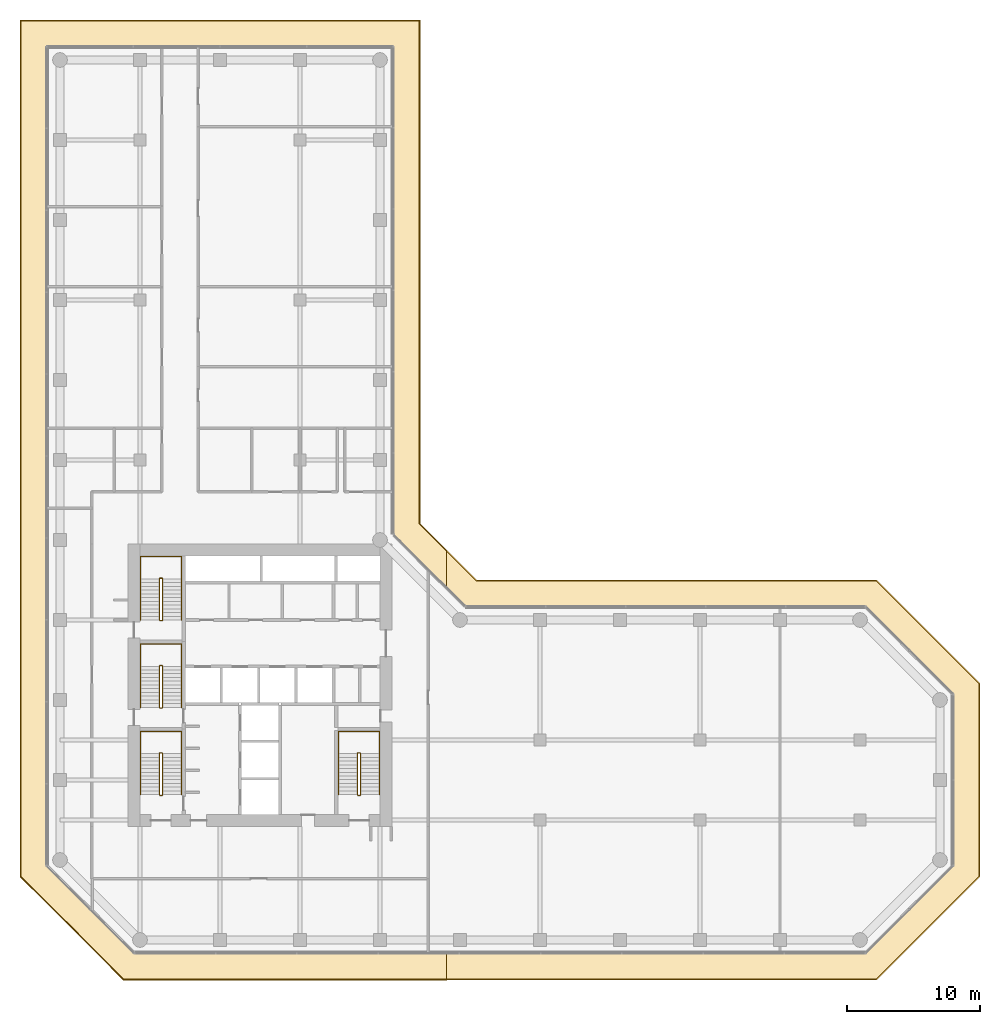
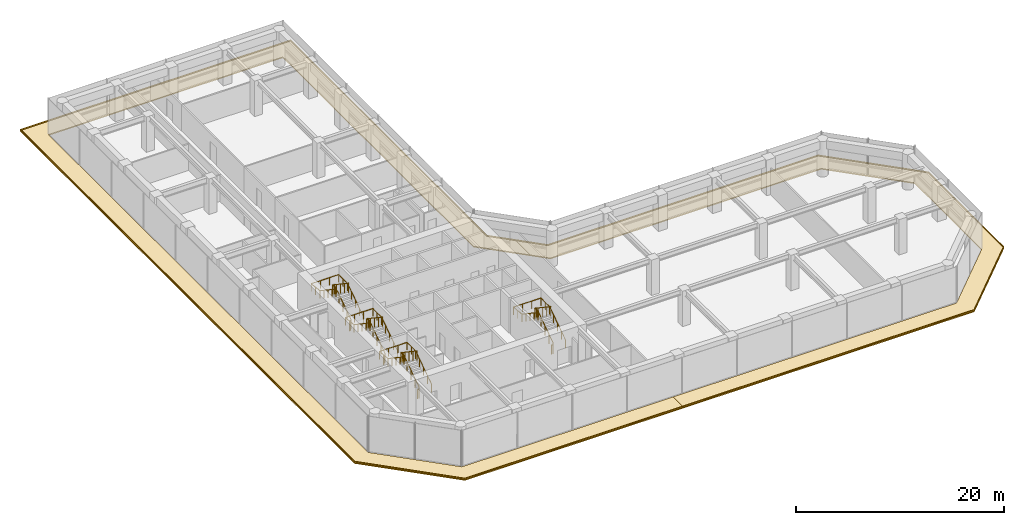
# One storey, part 24 of 24: 8 railings, 4 coverings.
"""IFC4 building model written with IfcOpenShell, lengths in metres."""

import ifcopenshell
import ifcopenshell.guid

model = None  # the IFC model being written
_history = None  # IfcOwnerHistory: only IFC2X3 demands one
_inside = {}  # id of a spatial element -> (the spatial element, [elements in it])
_under = {}  # id of a project, library or spatial element -> (it, [spatial elements below it])
_declared = {}  # id of a project -> (the project, [libraries it declares])
_typed = {}  # id of a type object -> (the type object, [elements of that type])
_made_of = {}  # id of a material, layer set ... -> (it, [elements and type objects made of it])


def new_model(schema):
    """Start an empty IFC model of exactly this schema.

    Asked for "IFC4X3", IfcOpenShell would pick the latest addendum, in which some entities
    have other attributes; the version numbers below select the first issue.
    IFC2X3 requires an IfcOwnerHistory on every rooted entity: one is made here for all.
    """
    global model, _history
    if schema == "IFC4X3":
        model = ifcopenshell.file(schema_version=(4, 3, 0, 0))
    else:
        model = ifcopenshell.file(schema=schema)
    _inside.clear()
    _under.clear()
    _declared.clear()
    _typed.clear()
    _made_of.clear()
    _history = None
    if model.schema == "IFC2X3":
        org = make("IfcOrganization", Name="unknown")
        user = make(
            "IfcPersonAndOrganization",
            ThePerson=make("IfcPerson", FamilyName="unknown"),
            TheOrganization=org,
        )
        app = make(
            "IfcApplication",
            ApplicationDeveloper=org,
            Version="unknown",
            ApplicationFullName="unknown",
            ApplicationIdentifier="unknown",
        )
        _history = make(
            "IfcOwnerHistory",
            OwningUser=user,
            OwningApplication=app,
            ChangeAction="ADDED",
            CreationDate=0,
        )
    return model


def make(cls, **values):
    """One entity of the class cls with the attributes given. An attribute that is None is left unset."""
    return model.create_entity(
        cls, **{name: value for name, value in values.items() if value is not None}
    )


def rooted(cls, **values):
    """An entity with a GlobalId (a new one), such as an element, a storey or a relation."""
    return make(cls, GlobalId=ifcopenshell.guid.new(), OwnerHistory=_history, **values)


def si_unit(unit_type, name, prefix=None):
    """IfcSIUnit, for example si_unit("LENGTHUNIT", "METRE", prefix="MILLI")."""
    return make("IfcSIUnit", UnitType=unit_type, Prefix=prefix, Name=name)


def assignment(units):
    """IfcUnitAssignment: the units of a project."""
    return None if units is None else make("IfcUnitAssignment", Units=units)


def point(xyz):
    """IfcCartesianPoint."""
    return None if xyz is None else make("IfcCartesianPoint", Coordinates=xyz)


def direction(xyz):
    """IfcDirection."""
    return None if xyz is None else make("IfcDirection", DirectionRatios=xyz)


def frame(location, z_axis=None, x_axis=None):
    """IfcAxis2Placement3D, a coordinate frame: its origin and axes. An axis left out is left unset."""
    return make(
        "IfcAxis2Placement3D",
        Location=point(location),
        Axis=direction(z_axis),
        RefDirection=direction(x_axis),
    )


def frame_2d(location, x_axis=None):
    """IfcAxis2Placement2D, a coordinate frame in the plane: its origin and x axis."""
    return make(
        "IfcAxis2Placement2D", Location=point(location), RefDirection=direction(x_axis)
    )


def origin():
    """The frame at (0, 0, 0) with its axes left unset."""
    return frame((0.0, 0.0, 0.0))


def origin_2d():
    """The frame at (0, 0) in the plane with its x axis left unset."""
    return frame_2d((0.0, 0.0))


def place(relative_to, where):
    """IfcLocalPlacement: puts the frame where relative to a parent placement (None: the world)."""
    return make(
        "IfcLocalPlacement", PlacementRelTo=relative_to, RelativePlacement=where
    )


def context(
    kind, dimensions, precision=None, world=None, true_north=None, identifier=None
):
    """IfcGeometricRepresentationContext, for example the 3D "Model" context."""
    return make(
        "IfcGeometricRepresentationContext",
        ContextIdentifier=identifier,
        ContextType=kind,
        CoordinateSpaceDimension=dimensions,
        Precision=precision,
        WorldCoordinateSystem=world,
        TrueNorth=true_north,
    )


def subcontext(parent, identifier, kind, view, scale=None):
    """IfcGeometricRepresentationSubContext, for example "Body" below "Model"."""
    return make(
        "IfcGeometricRepresentationSubContext",
        ContextIdentifier=identifier,
        ContextType=kind,
        ParentContext=parent,
        TargetScale=scale,
        TargetView=view,
    )


def project(units=None, contexts=None):
    """IfcProject with its units and contexts."""
    return rooted(
        "IfcProject",
        Name="project",
        RepresentationContexts=contexts,
        UnitsInContext=assignment(units),
    )


def spatial(cls, under=None, at=None, **own):
    """A site, building, storey or space (cls), placed at a placement, below another one or the project."""
    s = rooted(cls, ObjectPlacement=at, **own)
    if under is not None:
        _under.setdefault(under.id(), (under, []))[1].append(s)
    return s


def polyline(points):
    """IfcPolyline through the points."""
    return make("IfcPolyline", Points=[point(p) for p in points])


def profile(cls, at=None, kind="AREA", **sizes):
    """A parametric profile (cls). Its sizes go by their IFC names, for example OverallWidth=200.0."""
    return make(cls, ProfileType=kind, Position=at, **sizes)


def circle(**sizes):
    """IfcCircleProfileDef."""
    return profile("IfcCircleProfileDef", **sizes)


def outline(outer, holes=None, kind="AREA"):
    """IfcArbitraryClosedProfileDef: a profile drawn as a closed curve; with holes, ...WithVoids."""
    if holes is None:
        return make("IfcArbitraryClosedProfileDef", ProfileType=kind, OuterCurve=outer)
    return make(
        "IfcArbitraryProfileDefWithVoids",
        ProfileType=kind,
        OuterCurve=outer,
        InnerCurves=holes,
    )


def extrude(swept, where, along, depth):
    """IfcExtrudedAreaSolid: the profile swept, set in the frame where, extruded along a direction by depth."""
    return make(
        "IfcExtrudedAreaSolid",
        SweptArea=swept,
        Position=where,
        ExtrudedDirection=direction(along),
        Depth=depth,
    )


def shape(context_of_items, identifier, shape_type, items):
    """IfcShapeRepresentation: the items that make up one representation, for example the "Body"."""
    return make(
        "IfcShapeRepresentation",
        ContextOfItems=context_of_items,
        RepresentationIdentifier=identifier,
        RepresentationType=shape_type,
        Items=items,
    )


def material(Name=None, Category=None):
    """IfcMaterial."""
    return make("IfcMaterial", Name=Name, Category=Category)


def layer(
    of_material, thickness, ventilated=None, Name=None, Category=None, Priority=None
):
    """IfcMaterialLayer: one layer of a wall or slab, of a material (None: an air gap)."""
    return make(
        "IfcMaterialLayer",
        Material=of_material,
        LayerThickness=thickness,
        IsVentilated=ventilated,
        Name=Name,
        Category=Category,
        Priority=Priority,
    )


def layer_set(layers, Name=None):
    """IfcMaterialLayerSet."""
    return make("IfcMaterialLayerSet", MaterialLayers=layers, LayerSetName=Name)


def made_of(thing, what):
    """Note that an element or type object is made of a material, layer set ...; save() writes the relation."""
    if what is not None:
        _made_of.setdefault(what.id(), (what, []))[1].append(thing)
    return thing


def type_object(cls, material=None, **own):
    """A type object (cls), such as IfcWallType, which elements share."""
    return made_of(rooted(cls, **own), material)


def element(
    cls,
    number,
    at=None,
    inside=None,
    cuts=None,
    type_object=None,
    material=None,
    context=None,
    identifier="Body",
    shape_type=None,
    held_by="IfcProductDefinitionShape",
    body=None,
    shapes=None,
    **own,
):
    """One element of the class cls, such as IfcWall. Its Tag is "e" and its number.

    at: its placement. inside: the storey or other place that contains it. cuts: it is an
    opening in that element (IfcRelVoidsElement). A single representation is given by context,
    identifier, shape_type and body (its items); several are given by shapes. held_by: the class
    of the entity that holds the representations. save() writes the other relations.
    """
    e = rooted(cls, Tag="e%d" % number, ObjectPlacement=at, **own)
    if body is not None:
        shapes = [shape(context, identifier, shape_type, body)]
    if shapes is not None:
        e.Representation = make(held_by, Representations=shapes)
    if inside is not None:
        _inside.setdefault(inside.id(), (inside, []))[1].append(e)
    if cuts is not None:
        rooted(
            "IfcRelVoidsElement", RelatingBuildingElement=cuts, RelatedOpeningElement=e
        )
    if type_object is not None:
        _typed.setdefault(type_object.id(), (type_object, []))[1].append(e)
    return made_of(e, material)


def aggregate(whole, parts):
    """IfcRelAggregates: a whole, such as a stair, and the parts it consists of."""
    return rooted("IfcRelAggregates", RelatingObject=whole, RelatedObjects=parts)


def save(model, path):
    """Write the relations noted so far, then the file.

    IfcRelAggregates (storeys below a building ...), IfcRelContainedInSpatialStructure (elements
    in a storey), IfcRelDefinesByType, IfcRelAssociatesMaterial and IfcRelDeclares: one each for
    every whole, place, type object, material and project.
    """
    for whole, parts in _under.values():
        aggregate(whole, parts)
    for where, things in _inside.values():
        rooted(
            "IfcRelContainedInSpatialStructure",
            RelatedElements=things,
            RelatingStructure=where,
        )
    for kind, things in _typed.values():
        rooted("IfcRelDefinesByType", RelatedObjects=things, RelatingType=kind)
    for what, things in _made_of.values():
        rooted("IfcRelAssociatesMaterial", RelatedObjects=things, RelatingMaterial=what)
    for by, libraries in _declared.values():
        rooted("IfcRelDeclares", RelatingContext=by, RelatedDefinitions=libraries)
    model.write(path)


model = new_model("IFC4")

# Units and contexts
model_context = context("Model", 3, precision=1e-05, world=origin(), true_north=direction((0.0, 1.0)))
body_context = subcontext(model_context, "Body", "Model", "MODEL_VIEW")
ifc_project = project(units=[si_unit("LENGTHUNIT", "METRE"), si_unit("AREAUNIT", "SQUARE_METRE"), si_unit("VOLUMEUNIT", "CUBIC_METRE"), si_unit("PLANEANGLEUNIT", "RADIAN"), si_unit("MASSUNIT", "GRAM", prefix="KILO")], contexts=[model_context])

# Site, building, storey
site_placement = place(None, origin())
site = spatial("IfcSite", under=ifc_project, at=site_placement, CompositionType="ELEMENT")
building_placement = place(site_placement, origin())
building = spatial("IfcBuilding", under=site, at=building_placement, Name="Welwitschia Terrace Campus", CompositionType="ELEMENT")
storey_placement = place(building_placement, frame((0.0, 0.0, 20.0)))
storey = spatial("IfcBuildingStorey", under=building, at=storey_placement, Name="L04", CompositionType="ELEMENT", Elevation=20.0)

# Railings
ifc_material_1 = material(Name="Steel S355", Category="steel")
railing_type_1 = type_object("IfcRailingType", Name="Stair guard 1100", PredefinedType="GUARDRAIL", material=ifc_material_1)
railing_1_placement = place(storey_placement, frame((7.5, 6.85009765625, 0.0)))
element("IfcRailing", 1, at=railing_1_placement, inside=storey, type_object=railing_type_1, Name="L04 S1 stair guard", PredefinedType="GUARDRAIL", context=body_context, shape_type="SweptSolid", body=[
    extrude(circle(Radius=0.02392578125, at=origin_2d()), frame((0.0, 0.0, 1.076171875), z_axis=(1.0, 0.0, 0.0), x_axis=(0.0, 1.0, 0.0)), (0.0, 0.0, 1.0), 0.14990234375),
    extrude(circle(Radius=0.02392578125, at=origin_2d()), frame((0.14990234375, 0.0, 1.076171875), z_axis=(0.249802250048, 0.248583702486, 0.935844527007), x_axis=(-0.705375805398, 0.708833529934, 0.0)), (0.0, 0.0, 1.0), 0.200439453125),
    extrude(circle(Radius=0.02392578125, at=origin_2d()), frame((0.199951171875, 0.0498046875, 1.263671875), z_axis=(0.0, 0.830913701846, 0.55640131208), x_axis=(-1.0, 0.0, 0.0)), (0.0, 0.0, 1.0), 3.706787109375),
    extrude(circle(Radius=0.02392578125, at=origin_2d()), frame((0.199951171875, 3.1298828125, 3.326171875), z_axis=(-0.707106781187, 0.707106781187, 0.0), x_axis=(-0.707106781187, -0.707106781187, 0.0)), (0.0, 0.0, 1.0), 0.07080078125),
    extrude(circle(Radius=0.02392578125, at=origin_2d()), frame((0.14990234375, 3.179931640625, 3.326171875), z_axis=(-1.0, 0.0, 0.0), x_axis=(0.0, -1.0, 0.0)), (0.0, 0.0, 1.0), 0.14990234375),
    extrude(circle(Radius=0.02392578125, at=origin_2d()), frame((0.0, 3.179931640625, 3.326171875), z_axis=(-0.249726431254, -0.249726431254, 0.935560483917), x_axis=(0.707106781187, -0.707106781187, 0.0)), (0.0, 0.0, 1.0), 0.200439453125),
    extrude(circle(Radius=0.02392578125, at=origin_2d()), frame((-0.050048828125, 3.1298828125, 3.513671875), z_axis=(0.0, -0.830913701846, 0.55640131208), x_axis=(1.0, 0.0, 0.0)), (0.0, 0.0, 1.0), 3.706787109375),
    extrude(circle(Radius=0.02099609375, at=origin_2d()), origin(), (0.0, 0.0, 1.0), 1.052001953125),
    extrude(circle(Radius=0.02099609375, at=origin_2d()), frame((0.14990234375, 0.0, 0.0)), (0.0, 0.0, 1.0), 1.052001953125),
    extrude(circle(Radius=0.02099609375, at=origin_2d()), frame((0.199951171875, 0.0498046875, 0.1875)), (0.0, 0.0, 1.0), 1.052001953125),
    extrude(circle(Radius=0.02099609375, at=origin_2d()), frame((0.199951171875, 0.81982421875, 0.703125)), (0.0, 0.0, 1.0), 1.052001953125),
    extrude(circle(Radius=0.02099609375, at=origin_2d()), frame((0.199951171875, 1.58984375, 1.21875)), (0.0, 0.0, 1.0), 1.052001953125),
    extrude(circle(Radius=0.02099609375, at=origin_2d()), frame((0.199951171875, 2.35986328125, 1.734375)), (0.0, 0.0, 1.0), 1.052001953125),
    extrude(circle(Radius=0.02099609375, at=origin_2d()), frame((0.199951171875, 3.1298828125, 2.25)), (0.0, 0.0, 1.0), 1.052001953125),
    extrude(circle(Radius=0.02099609375, at=origin_2d()), frame((0.14990234375, 3.179931640625, 2.25)), (0.0, 0.0, 1.0), 1.052001953125),
    extrude(circle(Radius=0.02099609375, at=origin_2d()), frame((0.0, 3.179931640625, 2.25)), (0.0, 0.0, 1.0), 1.052001953125),
    extrude(circle(Radius=0.02099609375, at=origin_2d()), frame((-0.050048828125, 3.1298828125, 2.4375)), (0.0, 0.0, 1.0), 1.052001953125),
    extrude(circle(Radius=0.02099609375, at=origin_2d()), frame((-0.050048828125, 2.35986328125, 2.953125)), (0.0, 0.0, 1.0), 1.052001953125),
    extrude(circle(Radius=0.02099609375, at=origin_2d()), frame((-0.050048828125, 1.58984375, 3.46875)), (0.0, 0.0, 1.0), 1.052001953125),
    extrude(circle(Radius=0.02099609375, at=origin_2d()), frame((-0.050048828125, 0.81982421875, 3.984375)), (0.0, 0.0, 1.0), 1.052001953125),
    extrude(circle(Radius=0.02099609375, at=origin_2d()), frame((-0.050048828125, 0.0498046875, 4.5)), (0.0, 0.0, 1.0), 1.052001953125),
])
railing_2_placement = place(storey_placement, frame((7.5, 13.39990234375, 0.0)))
element("IfcRailing", 2, at=railing_2_placement, inside=storey, type_object=railing_type_1, Name="L04 S3 stair guard", PredefinedType="GUARDRAIL", context=body_context, shape_type="SweptSolid", body=[
    extrude(circle(Radius=0.02392578125, at=origin_2d()), frame((0.0, 0.0, 1.076171875), z_axis=(1.0, 0.0, 0.0), x_axis=(0.0, 1.0, 0.0)), (0.0, 0.0, 1.0), 0.14990234375),
    extrude(circle(Radius=0.02392578125, at=origin_2d()), frame((0.14990234375, 0.0, 1.076171875), z_axis=(0.249726431254, 0.249726431254, 0.935560483917), x_axis=(-0.707106781187, 0.707106781187, 0.0)), (0.0, 0.0, 1.0), 0.200439453125),
    extrude(circle(Radius=0.02392578125, at=origin_2d()), frame((0.199951171875, 0.050048828125, 1.263671875), z_axis=(0.0, 0.830913701846, 0.55640131208), x_axis=(-1.0, 0.0, 0.0)), (0.0, 0.0, 1.0), 3.706787109375),
    extrude(circle(Radius=0.02392578125, at=origin_2d()), frame((0.199951171875, 3.130126953125, 3.326171875), z_axis=(-0.707106781187, 0.707106781187, 0.0), x_axis=(-0.707106781187, -0.707106781187, 0.0)), (0.0, 0.0, 1.0), 0.07080078125),
    extrude(circle(Radius=0.02392578125, at=origin_2d()), frame((0.14990234375, 3.18017578125, 3.326171875), z_axis=(-1.0, 0.0, 0.0), x_axis=(0.0, -1.0, 0.0)), (0.0, 0.0, 1.0), 0.14990234375),
    extrude(circle(Radius=0.02392578125, at=origin_2d()), frame((0.0, 3.18017578125, 3.326171875), z_axis=(-0.249726431254, -0.249726431254, 0.935560483917), x_axis=(0.707106781187, -0.707106781187, 0.0)), (0.0, 0.0, 1.0), 0.200439453125),
    extrude(circle(Radius=0.02392578125, at=origin_2d()), frame((-0.050048828125, 3.130126953125, 3.513671875), z_axis=(0.0, -0.830913701846, 0.55640131208), x_axis=(1.0, 0.0, 0.0)), (0.0, 0.0, 1.0), 3.706787109375),
    extrude(circle(Radius=0.02099609375, at=origin_2d()), origin(), (0.0, 0.0, 1.0), 1.052001953125),
    extrude(circle(Radius=0.02099609375, at=origin_2d()), frame((0.14990234375, 0.0, 0.0)), (0.0, 0.0, 1.0), 1.052001953125),
    extrude(circle(Radius=0.02099609375, at=origin_2d()), frame((0.199951171875, 0.050048828125, 0.1875)), (0.0, 0.0, 1.0), 1.052001953125),
    extrude(circle(Radius=0.02099609375, at=origin_2d()), frame((0.199951171875, 0.820068359375, 0.703125)), (0.0, 0.0, 1.0), 1.052001953125),
    extrude(circle(Radius=0.02099609375, at=origin_2d()), frame((0.199951171875, 1.590087890625, 1.21875)), (0.0, 0.0, 1.0), 1.052001953125),
    extrude(circle(Radius=0.02099609375, at=origin_2d()), frame((0.199951171875, 2.360107421875, 1.734375)), (0.0, 0.0, 1.0), 1.052001953125),
    extrude(circle(Radius=0.02099609375, at=origin_2d()), frame((0.199951171875, 3.130126953125, 2.25)), (0.0, 0.0, 1.0), 1.052001953125),
    extrude(circle(Radius=0.02099609375, at=origin_2d()), frame((0.14990234375, 3.18017578125, 2.25)), (0.0, 0.0, 1.0), 1.052001953125),
    extrude(circle(Radius=0.02099609375, at=origin_2d()), frame((0.0, 3.18017578125, 2.25)), (0.0, 0.0, 1.0), 1.052001953125),
    extrude(circle(Radius=0.02099609375, at=origin_2d()), frame((-0.050048828125, 3.130126953125, 2.4375)), (0.0, 0.0, 1.0), 1.052001953125),
    extrude(circle(Radius=0.02099609375, at=origin_2d()), frame((-0.050048828125, 2.360107421875, 2.953125)), (0.0, 0.0, 1.0), 1.052001953125),
    extrude(circle(Radius=0.02099609375, at=origin_2d()), frame((-0.050048828125, 1.590087890625, 3.46875)), (0.0, 0.0, 1.0), 1.052001953125),
    extrude(circle(Radius=0.02099609375, at=origin_2d()), frame((-0.050048828125, 0.820068359375, 3.984375)), (0.0, 0.0, 1.0), 1.052001953125),
    extrude(circle(Radius=0.02099609375, at=origin_2d()), frame((-0.050048828125, 0.050048828125, 4.5)), (0.0, 0.0, 1.0), 1.052001953125),
])
railing_3_placement = place(storey_placement, frame((7.5, 19.949951171875, 0.0)))
element("IfcRailing", 3, at=railing_3_placement, inside=storey, type_object=railing_type_1, Name="L04 S4 stair guard", PredefinedType="GUARDRAIL", context=body_context, shape_type="SweptSolid", body=[
    extrude(circle(Radius=0.02392578125, at=origin_2d()), frame((0.0, 0.0, 1.076171875), z_axis=(1.0, 0.0, 0.0), x_axis=(0.0, 1.0, 0.0)), (0.0, 0.0, 1.0), 0.14990234375),
    extrude(circle(Radius=0.02392578125, at=origin_2d()), frame((0.14990234375, 0.0, 1.076171875), z_axis=(0.249726431254, 0.249726431254, 0.935560483917), x_axis=(-0.707106781187, 0.707106781187, 0.0)), (0.0, 0.0, 1.0), 0.200439453125),
    extrude(circle(Radius=0.02392578125, at=origin_2d()), frame((0.199951171875, 0.050048828125, 1.263671875), z_axis=(0.0, 0.830913701846, 0.55640131208), x_axis=(-1.0, 0.0, 0.0)), (0.0, 0.0, 1.0), 3.706787109375),
    extrude(circle(Radius=0.02392578125, at=origin_2d()), frame((0.199951171875, 3.130126953125, 3.326171875), z_axis=(-0.708833529934, 0.705375805398, 0.0), x_axis=(-0.705375805398, -0.708833529934, 0.0)), (0.0, 0.0, 1.0), 0.070556640625),
    extrude(circle(Radius=0.02392578125, at=origin_2d()), frame((0.14990234375, 3.179931640625, 3.326171875), z_axis=(-1.0, 0.0, 0.0), x_axis=(0.0, -1.0, 0.0)), (0.0, 0.0, 1.0), 0.14990234375),
    extrude(circle(Radius=0.02392578125, at=origin_2d()), frame((0.0, 3.179931640625, 3.326171875), z_axis=(-0.249802250048, -0.248583702486, 0.935844527007), x_axis=(0.705375805398, -0.708833529934, 0.0)), (0.0, 0.0, 1.0), 0.200439453125),
    extrude(circle(Radius=0.02392578125, at=origin_2d()), frame((-0.050048828125, 3.130126953125, 3.513671875), z_axis=(0.0, -0.830913701846, 0.55640131208), x_axis=(1.0, 0.0, 0.0)), (0.0, 0.0, 1.0), 3.706787109375),
    extrude(circle(Radius=0.02099609375, at=origin_2d()), origin(), (0.0, 0.0, 1.0), 1.052001953125),
    extrude(circle(Radius=0.02099609375, at=origin_2d()), frame((0.14990234375, 0.0, 0.0)), (0.0, 0.0, 1.0), 1.052001953125),
    extrude(circle(Radius=0.02099609375, at=origin_2d()), frame((0.199951171875, 0.050048828125, 0.1875)), (0.0, 0.0, 1.0), 1.052001953125),
    extrude(circle(Radius=0.02099609375, at=origin_2d()), frame((0.199951171875, 0.820068359375, 0.703125)), (0.0, 0.0, 1.0), 1.052001953125),
    extrude(circle(Radius=0.02099609375, at=origin_2d()), frame((0.199951171875, 1.590087890625, 1.21875)), (0.0, 0.0, 1.0), 1.052001953125),
    extrude(circle(Radius=0.02099609375, at=origin_2d()), frame((0.199951171875, 2.360107421875, 1.734375)), (0.0, 0.0, 1.0), 1.052001953125),
    extrude(circle(Radius=0.02099609375, at=origin_2d()), frame((0.199951171875, 3.130126953125, 2.25)), (0.0, 0.0, 1.0), 1.052001953125),
    extrude(circle(Radius=0.02099609375, at=origin_2d()), frame((0.14990234375, 3.179931640625, 2.25)), (0.0, 0.0, 1.0), 1.052001953125),
    extrude(circle(Radius=0.02099609375, at=origin_2d()), frame((0.0, 3.179931640625, 2.25)), (0.0, 0.0, 1.0), 1.052001953125),
    extrude(circle(Radius=0.02099609375, at=origin_2d()), frame((-0.050048828125, 3.130126953125, 2.4375)), (0.0, 0.0, 1.0), 1.052001953125),
    extrude(circle(Radius=0.02099609375, at=origin_2d()), frame((-0.050048828125, 2.360107421875, 2.953125)), (0.0, 0.0, 1.0), 1.052001953125),
    extrude(circle(Radius=0.02099609375, at=origin_2d()), frame((-0.050048828125, 1.590087890625, 3.46875)), (0.0, 0.0, 1.0), 1.052001953125),
    extrude(circle(Radius=0.02099609375, at=origin_2d()), frame((-0.050048828125, 0.820068359375, 3.984375)), (0.0, 0.0, 1.0), 1.052001953125),
    extrude(circle(Radius=0.02099609375, at=origin_2d()), frame((-0.050048828125, 0.050048828125, 4.5)), (0.0, 0.0, 1.0), 1.052001953125),
])
railing_4_placement = place(storey_placement, frame((22.35009765625, 6.85009765625, 0.0)))
element("IfcRailing", 4, at=railing_4_placement, inside=storey, type_object=railing_type_1, Name="L04 S2 stair guard", PredefinedType="GUARDRAIL", context=body_context, shape_type="SweptSolid", body=[
    extrude(circle(Radius=0.02392578125, at=origin_2d()), frame((0.0, 0.0, 1.076171875), z_axis=(1.0, 0.0, 0.0), x_axis=(0.0, 1.0, 0.0)), (0.0, 0.0, 1.0), 0.14990234375),
    extrude(circle(Radius=0.02392578125, at=origin_2d()), frame((0.14990234375, 0.0, 1.076171875), z_axis=(0.249802250048, 0.248583702486, 0.935844527007), x_axis=(-0.705375805398, 0.708833529934, 0.0)), (0.0, 0.0, 1.0), 0.200439453125),
    extrude(circle(Radius=0.02392578125, at=origin_2d()), frame((0.199951171875, 0.0498046875, 1.263671875), z_axis=(0.0, 0.830913701846, 0.55640131208), x_axis=(-1.0, 0.0, 0.0)), (0.0, 0.0, 1.0), 3.706787109375),
    extrude(circle(Radius=0.02392578125, at=origin_2d()), frame((0.199951171875, 3.1298828125, 3.326171875), z_axis=(-0.707106781187, 0.707106781187, 0.0), x_axis=(-0.707106781187, -0.707106781187, 0.0)), (0.0, 0.0, 1.0), 0.07080078125),
    extrude(circle(Radius=0.02392578125, at=origin_2d()), frame((0.14990234375, 3.179931640625, 3.326171875), z_axis=(-1.0, 0.0, 0.0), x_axis=(0.0, -1.0, 0.0)), (0.0, 0.0, 1.0), 0.14990234375),
    extrude(circle(Radius=0.02392578125, at=origin_2d()), frame((0.0, 3.179931640625, 3.326171875), z_axis=(-0.249726431254, -0.249726431254, 0.935560483917), x_axis=(0.707106781187, -0.707106781187, 0.0)), (0.0, 0.0, 1.0), 0.200439453125),
    extrude(circle(Radius=0.02392578125, at=origin_2d()), frame((-0.050048828125, 3.1298828125, 3.513671875), z_axis=(0.0, -0.830913701846, 0.55640131208), x_axis=(1.0, 0.0, 0.0)), (0.0, 0.0, 1.0), 3.706787109375),
    extrude(circle(Radius=0.02099609375, at=origin_2d()), origin(), (0.0, 0.0, 1.0), 1.052001953125),
    extrude(circle(Radius=0.02099609375, at=origin_2d()), frame((0.14990234375, 0.0, 0.0)), (0.0, 0.0, 1.0), 1.052001953125),
    extrude(circle(Radius=0.02099609375, at=origin_2d()), frame((0.199951171875, 0.0498046875, 0.1875)), (0.0, 0.0, 1.0), 1.052001953125),
    extrude(circle(Radius=0.02099609375, at=origin_2d()), frame((0.199951171875, 0.81982421875, 0.703125)), (0.0, 0.0, 1.0), 1.052001953125),
    extrude(circle(Radius=0.02099609375, at=origin_2d()), frame((0.199951171875, 1.58984375, 1.21875)), (0.0, 0.0, 1.0), 1.052001953125),
    extrude(circle(Radius=0.02099609375, at=origin_2d()), frame((0.199951171875, 2.35986328125, 1.734375)), (0.0, 0.0, 1.0), 1.052001953125),
    extrude(circle(Radius=0.02099609375, at=origin_2d()), frame((0.199951171875, 3.1298828125, 2.25)), (0.0, 0.0, 1.0), 1.052001953125),
    extrude(circle(Radius=0.02099609375, at=origin_2d()), frame((0.14990234375, 3.179931640625, 2.25)), (0.0, 0.0, 1.0), 1.052001953125),
    extrude(circle(Radius=0.02099609375, at=origin_2d()), frame((0.0, 3.179931640625, 2.25)), (0.0, 0.0, 1.0), 1.052001953125),
    extrude(circle(Radius=0.02099609375, at=origin_2d()), frame((-0.050048828125, 3.1298828125, 2.4375)), (0.0, 0.0, 1.0), 1.052001953125),
    extrude(circle(Radius=0.02099609375, at=origin_2d()), frame((-0.050048828125, 2.35986328125, 2.953125)), (0.0, 0.0, 1.0), 1.052001953125),
    extrude(circle(Radius=0.02099609375, at=origin_2d()), frame((-0.050048828125, 1.58984375, 3.46875)), (0.0, 0.0, 1.0), 1.052001953125),
    extrude(circle(Radius=0.02099609375, at=origin_2d()), frame((-0.050048828125, 0.81982421875, 3.984375)), (0.0, 0.0, 1.0), 1.052001953125),
    extrude(circle(Radius=0.02099609375, at=origin_2d()), frame((-0.050048828125, 0.0498046875, 4.5)), (0.0, 0.0, 1.0), 1.052001953125),
])
ifc_material_2 = material(Name="Steel S355", Category="steel")
railing_type_2 = type_object("IfcRailingType", Name="Stair handrail 900", PredefinedType="HANDRAIL", material=ifc_material_2)
railing_5_placement = place(storey_placement, frame((9.10009765625, 6.89990234375, 0.1875)))
element("IfcRailing", 5, at=railing_5_placement, inside=storey, type_object=railing_type_2, Name="L04 S1 stair handrail", PredefinedType="HANDRAIL", context=body_context, shape_type="SweptSolid", body=[
    extrude(circle(Radius=0.02392578125, at=origin_2d()), frame((0.0, 0.0, 0.8759765625), z_axis=(0.0, 0.830913701846, 0.55640131208), x_axis=(-1.0, 0.0, 0.0)), (0.0, 0.0, 1.0), 3.706787109375),
    extrude(circle(Radius=0.02392578125, at=origin_2d()), frame((0.0, 3.080078125, 2.9384765625), z_axis=(0.0, 1.0, 0.0), x_axis=(-1.0, 0.0, 0.0)), (0.0, 0.0, 1.0), 1.669921875),
    extrude(circle(Radius=0.02392578125, at=origin_2d()), frame((0.0, 4.75, 2.9384765625), z_axis=(-1.0, 0.0, 0.0), x_axis=(0.0, -1.0, 0.0)), (0.0, 0.0, 1.0), 3.050048828125),
    extrude(circle(Radius=0.02392578125, at=origin_2d()), frame((-3.050048828125, 4.75, 2.9384765625), z_axis=(0.0, -0.993755503435, 0.111579565298), x_axis=(1.0, 0.0, 0.0)), (0.0, 0.0, 1.0), 1.680419921875),
    extrude(circle(Radius=0.02392578125, at=origin_2d()), frame((-3.050048828125, 3.080078125, 3.1259765625), z_axis=(0.0, -0.830913701846, 0.55640131208), x_axis=(1.0, 0.0, 0.0)), (0.0, 0.0, 1.0), 3.706787109375),
    extrude(circle(Radius=0.02099609375, at=origin_2d()), origin(), (0.0, 0.0, 1.0), 0.851806640625),
    extrude(circle(Radius=0.02099609375, at=origin_2d()), frame((0.0, 0.77001953125, 0.515625)), (0.0, 0.0, 1.0), 0.851806640625),
    extrude(circle(Radius=0.02099609375, at=origin_2d()), frame((0.0, 1.5400390625, 1.03125)), (0.0, 0.0, 1.0), 0.851806640625),
    extrude(circle(Radius=0.02099609375, at=origin_2d()), frame((0.0, 2.31005859375, 1.546875)), (0.0, 0.0, 1.0), 0.851806640625),
    extrude(circle(Radius=0.02099609375, at=origin_2d()), frame((0.0, 3.080078125, 2.0625)), (0.0, 0.0, 1.0), 0.851806640625),
    extrude(circle(Radius=0.02099609375, at=origin_2d()), frame((0.0, 3.9150390625, 2.0625)), (0.0, 0.0, 1.0), 0.851806640625),
    extrude(circle(Radius=0.02099609375, at=origin_2d()), frame((0.0, 4.75, 2.0625)), (0.0, 0.0, 1.0), 0.851806640625),
    extrude(circle(Radius=0.02099609375, at=origin_2d()), frame((-1.0166015625, 4.75, 2.0625)), (0.0, 0.0, 1.0), 0.851806640625),
    extrude(circle(Radius=0.02099609375, at=origin_2d()), frame((-2.033447265625, 4.75, 2.0625)), (0.0, 0.0, 1.0), 0.851806640625),
    extrude(circle(Radius=0.02099609375, at=origin_2d()), frame((-3.050048828125, 4.75, 2.0625)), (0.0, 0.0, 1.0), 0.851806640625),
    extrude(circle(Radius=0.02099609375, at=origin_2d()), frame((-3.050048828125, 3.9150390625, 2.15625)), (0.0, 0.0, 1.0), 0.851806640625),
    extrude(circle(Radius=0.02099609375, at=origin_2d()), frame((-3.050048828125, 3.080078125, 2.25)), (0.0, 0.0, 1.0), 0.851806640625),
    extrude(circle(Radius=0.02099609375, at=origin_2d()), frame((-3.050048828125, 2.31005859375, 2.765625)), (0.0, 0.0, 1.0), 0.851806640625),
    extrude(circle(Radius=0.02099609375, at=origin_2d()), frame((-3.050048828125, 1.5400390625, 3.28125)), (0.0, 0.0, 1.0), 0.851806640625),
    extrude(circle(Radius=0.02099609375, at=origin_2d()), frame((-3.050048828125, 0.77001953125, 3.796875)), (0.0, 0.0, 1.0), 0.851806640625),
    extrude(circle(Radius=0.02099609375, at=origin_2d()), frame((-3.050048828125, 0.0, 4.3125)), (0.0, 0.0, 1.0), 0.851806640625),
])
railing_6_placement = place(storey_placement, frame((9.10009765625, 13.449951171875, 0.1875)))
element("IfcRailing", 6, at=railing_6_placement, inside=storey, type_object=railing_type_2, Name="L04 S3 stair handrail", PredefinedType="HANDRAIL", context=body_context, shape_type="SweptSolid", body=[
    extrude(circle(Radius=0.02392578125, at=origin_2d()), frame((0.0, 0.0, 0.8759765625), z_axis=(0.0, 0.830913701846, 0.55640131208), x_axis=(-1.0, 0.0, 0.0)), (0.0, 0.0, 1.0), 3.706787109375),
    extrude(circle(Radius=0.02392578125, at=origin_2d()), frame((0.0, 3.080078125, 2.9384765625), z_axis=(0.0, 1.0, 0.0), x_axis=(-1.0, 0.0, 0.0)), (0.0, 0.0, 1.0), 1.669921875),
    extrude(circle(Radius=0.02392578125, at=origin_2d()), frame((0.0, 4.75, 2.9384765625), z_axis=(-1.0, 0.0, 0.0), x_axis=(0.0, -1.0, 0.0)), (0.0, 0.0, 1.0), 3.050048828125),
    extrude(circle(Radius=0.02392578125, at=origin_2d()), frame((-3.050048828125, 4.75, 2.9384765625), z_axis=(0.0, -0.993755503435, 0.111579565298), x_axis=(1.0, 0.0, 0.0)), (0.0, 0.0, 1.0), 1.680419921875),
    extrude(circle(Radius=0.02392578125, at=origin_2d()), frame((-3.050048828125, 3.080078125, 3.1259765625), z_axis=(0.0, -0.830913701846, 0.55640131208), x_axis=(1.0, 0.0, 0.0)), (0.0, 0.0, 1.0), 3.706787109375),
    extrude(circle(Radius=0.02099609375, at=origin_2d()), origin(), (0.0, 0.0, 1.0), 0.851806640625),
    extrude(circle(Radius=0.02099609375, at=origin_2d()), frame((0.0, 0.77001953125, 0.515625)), (0.0, 0.0, 1.0), 0.851806640625),
    extrude(circle(Radius=0.02099609375, at=origin_2d()), frame((0.0, 1.5400390625, 1.03125)), (0.0, 0.0, 1.0), 0.851806640625),
    extrude(circle(Radius=0.02099609375, at=origin_2d()), frame((0.0, 2.31005859375, 1.546875)), (0.0, 0.0, 1.0), 0.851806640625),
    extrude(circle(Radius=0.02099609375, at=origin_2d()), frame((0.0, 3.080078125, 2.0625)), (0.0, 0.0, 1.0), 0.851806640625),
    extrude(circle(Radius=0.02099609375, at=origin_2d()), frame((0.0, 3.9150390625, 2.0625)), (0.0, 0.0, 1.0), 0.851806640625),
    extrude(circle(Radius=0.02099609375, at=origin_2d()), frame((0.0, 4.75, 2.0625)), (0.0, 0.0, 1.0), 0.851806640625),
    extrude(circle(Radius=0.02099609375, at=origin_2d()), frame((-1.0166015625, 4.75, 2.0625)), (0.0, 0.0, 1.0), 0.851806640625),
    extrude(circle(Radius=0.02099609375, at=origin_2d()), frame((-2.033447265625, 4.75, 2.0625)), (0.0, 0.0, 1.0), 0.851806640625),
    extrude(circle(Radius=0.02099609375, at=origin_2d()), frame((-3.050048828125, 4.75, 2.0625)), (0.0, 0.0, 1.0), 0.851806640625),
    extrude(circle(Radius=0.02099609375, at=origin_2d()), frame((-3.050048828125, 3.9150390625, 2.15625)), (0.0, 0.0, 1.0), 0.851806640625),
    extrude(circle(Radius=0.02099609375, at=origin_2d()), frame((-3.050048828125, 3.080078125, 2.25)), (0.0, 0.0, 1.0), 0.851806640625),
    extrude(circle(Radius=0.02099609375, at=origin_2d()), frame((-3.050048828125, 2.31005859375, 2.765625)), (0.0, 0.0, 1.0), 0.851806640625),
    extrude(circle(Radius=0.02099609375, at=origin_2d()), frame((-3.050048828125, 1.5400390625, 3.28125)), (0.0, 0.0, 1.0), 0.851806640625),
    extrude(circle(Radius=0.02099609375, at=origin_2d()), frame((-3.050048828125, 0.77001953125, 3.796875)), (0.0, 0.0, 1.0), 0.851806640625),
    extrude(circle(Radius=0.02099609375, at=origin_2d()), frame((-3.050048828125, 0.0, 4.3125)), (0.0, 0.0, 1.0), 0.851806640625),
])
railing_7_placement = place(storey_placement, frame((9.10009765625, 20.0, 0.1875)))
element("IfcRailing", 7, at=railing_7_placement, inside=storey, type_object=railing_type_2, Name="L04 S4 stair handrail", PredefinedType="HANDRAIL", context=body_context, shape_type="SweptSolid", body=[
    extrude(circle(Radius=0.02392578125, at=origin_2d()), frame((0.0, 0.0, 0.8759765625), z_axis=(0.0, 0.830913701846, 0.55640131208), x_axis=(-1.0, 0.0, 0.0)), (0.0, 0.0, 1.0), 3.706787109375),
    extrude(circle(Radius=0.02392578125, at=origin_2d()), frame((0.0, 3.080078125, 2.9384765625), z_axis=(0.0, 1.0, 0.0), x_axis=(-1.0, 0.0, 0.0)), (0.0, 0.0, 1.0), 1.669921875),
    extrude(circle(Radius=0.02392578125, at=origin_2d()), frame((0.0, 4.75, 2.9384765625), z_axis=(-1.0, 0.0, 0.0), x_axis=(0.0, -1.0, 0.0)), (0.0, 0.0, 1.0), 3.050048828125),
    extrude(circle(Radius=0.02392578125, at=origin_2d()), frame((-3.050048828125, 4.75, 2.9384765625), z_axis=(0.0, -0.993755503435, 0.111579565298), x_axis=(1.0, 0.0, 0.0)), (0.0, 0.0, 1.0), 1.680419921875),
    extrude(circle(Radius=0.02392578125, at=origin_2d()), frame((-3.050048828125, 3.080078125, 3.1259765625), z_axis=(0.0, -0.830913701846, 0.55640131208), x_axis=(1.0, 0.0, 0.0)), (0.0, 0.0, 1.0), 3.706787109375),
    extrude(circle(Radius=0.02099609375, at=origin_2d()), origin(), (0.0, 0.0, 1.0), 0.851806640625),
    extrude(circle(Radius=0.02099609375, at=origin_2d()), frame((0.0, 0.77001953125, 0.515625)), (0.0, 0.0, 1.0), 0.851806640625),
    extrude(circle(Radius=0.02099609375, at=origin_2d()), frame((0.0, 1.5400390625, 1.03125)), (0.0, 0.0, 1.0), 0.851806640625),
    extrude(circle(Radius=0.02099609375, at=origin_2d()), frame((0.0, 2.31005859375, 1.546875)), (0.0, 0.0, 1.0), 0.851806640625),
    extrude(circle(Radius=0.02099609375, at=origin_2d()), frame((0.0, 3.080078125, 2.0625)), (0.0, 0.0, 1.0), 0.851806640625),
    extrude(circle(Radius=0.02099609375, at=origin_2d()), frame((0.0, 3.9150390625, 2.0625)), (0.0, 0.0, 1.0), 0.851806640625),
    extrude(circle(Radius=0.02099609375, at=origin_2d()), frame((0.0, 4.75, 2.0625)), (0.0, 0.0, 1.0), 0.851806640625),
    extrude(circle(Radius=0.02099609375, at=origin_2d()), frame((-1.0166015625, 4.75, 2.0625)), (0.0, 0.0, 1.0), 0.851806640625),
    extrude(circle(Radius=0.02099609375, at=origin_2d()), frame((-2.033447265625, 4.75, 2.0625)), (0.0, 0.0, 1.0), 0.851806640625),
    extrude(circle(Radius=0.02099609375, at=origin_2d()), frame((-3.050048828125, 4.75, 2.0625)), (0.0, 0.0, 1.0), 0.851806640625),
    extrude(circle(Radius=0.02099609375, at=origin_2d()), frame((-3.050048828125, 3.9150390625, 2.15625)), (0.0, 0.0, 1.0), 0.851806640625),
    extrude(circle(Radius=0.02099609375, at=origin_2d()), frame((-3.050048828125, 3.080078125, 2.25)), (0.0, 0.0, 1.0), 0.851806640625),
    extrude(circle(Radius=0.02099609375, at=origin_2d()), frame((-3.050048828125, 2.31005859375, 2.765625)), (0.0, 0.0, 1.0), 0.851806640625),
    extrude(circle(Radius=0.02099609375, at=origin_2d()), frame((-3.050048828125, 1.5400390625, 3.28125)), (0.0, 0.0, 1.0), 0.851806640625),
    extrude(circle(Radius=0.02099609375, at=origin_2d()), frame((-3.050048828125, 0.77001953125, 3.796875)), (0.0, 0.0, 1.0), 0.851806640625),
    extrude(circle(Radius=0.02099609375, at=origin_2d()), frame((-3.050048828125, 0.0, 4.3125)), (0.0, 0.0, 1.0), 0.851806640625),
])
railing_8_placement = place(storey_placement, frame((23.949951171875, 6.89990234375, 0.1875)))
element("IfcRailing", 8, at=railing_8_placement, inside=storey, type_object=railing_type_2, Name="L04 S2 stair handrail", PredefinedType="HANDRAIL", context=body_context, shape_type="SweptSolid", body=[
    extrude(circle(Radius=0.02392578125, at=origin_2d()), frame((0.0, 0.0, 0.8759765625), z_axis=(0.0, 0.830913701846, 0.55640131208), x_axis=(-1.0, 0.0, 0.0)), (0.0, 0.0, 1.0), 3.706787109375),
    extrude(circle(Radius=0.02392578125, at=origin_2d()), frame((0.0, 3.080078125, 2.9384765625), z_axis=(0.0, 1.0, 0.0), x_axis=(-1.0, 0.0, 0.0)), (0.0, 0.0, 1.0), 1.669921875),
    extrude(circle(Radius=0.02392578125, at=origin_2d()), frame((0.0, 4.75, 2.9384765625), z_axis=(-1.0, 0.0, 0.0), x_axis=(0.0, -1.0, 0.0)), (0.0, 0.0, 1.0), 3.050048828125),
    extrude(circle(Radius=0.02392578125, at=origin_2d()), frame((-3.050048828125, 4.75, 2.9384765625), z_axis=(0.0, -0.993755503435, 0.111579565298), x_axis=(1.0, 0.0, 0.0)), (0.0, 0.0, 1.0), 1.680419921875),
    extrude(circle(Radius=0.02392578125, at=origin_2d()), frame((-3.050048828125, 3.080078125, 3.1259765625), z_axis=(0.0, -0.830913701846, 0.55640131208), x_axis=(1.0, 0.0, 0.0)), (0.0, 0.0, 1.0), 3.706787109375),
    extrude(circle(Radius=0.02099609375, at=origin_2d()), origin(), (0.0, 0.0, 1.0), 0.851806640625),
    extrude(circle(Radius=0.02099609375, at=origin_2d()), frame((0.0, 0.77001953125, 0.515625)), (0.0, 0.0, 1.0), 0.851806640625),
    extrude(circle(Radius=0.02099609375, at=origin_2d()), frame((0.0, 1.5400390625, 1.03125)), (0.0, 0.0, 1.0), 0.851806640625),
    extrude(circle(Radius=0.02099609375, at=origin_2d()), frame((0.0, 2.31005859375, 1.546875)), (0.0, 0.0, 1.0), 0.851806640625),
    extrude(circle(Radius=0.02099609375, at=origin_2d()), frame((0.0, 3.080078125, 2.0625)), (0.0, 0.0, 1.0), 0.851806640625),
    extrude(circle(Radius=0.02099609375, at=origin_2d()), frame((0.0, 3.9150390625, 2.0625)), (0.0, 0.0, 1.0), 0.851806640625),
    extrude(circle(Radius=0.02099609375, at=origin_2d()), frame((0.0, 4.75, 2.0625)), (0.0, 0.0, 1.0), 0.851806640625),
    extrude(circle(Radius=0.02099609375, at=origin_2d()), frame((-1.0166015625, 4.75, 2.0625)), (0.0, 0.0, 1.0), 0.851806640625),
    extrude(circle(Radius=0.02099609375, at=origin_2d()), frame((-2.033447265625, 4.75, 2.0625)), (0.0, 0.0, 1.0), 0.851806640625),
    extrude(circle(Radius=0.02099609375, at=origin_2d()), frame((-3.050048828125, 4.75, 2.0625)), (0.0, 0.0, 1.0), 0.851806640625),
    extrude(circle(Radius=0.02099609375, at=origin_2d()), frame((-3.050048828125, 3.9150390625, 2.15625)), (0.0, 0.0, 1.0), 0.851806640625),
    extrude(circle(Radius=0.02099609375, at=origin_2d()), frame((-3.050048828125, 3.080078125, 2.25)), (0.0, 0.0, 1.0), 0.851806640625),
    extrude(circle(Radius=0.02099609375, at=origin_2d()), frame((-3.050048828125, 2.31005859375, 2.765625)), (0.0, 0.0, 1.0), 0.851806640625),
    extrude(circle(Radius=0.02099609375, at=origin_2d()), frame((-3.050048828125, 1.5400390625, 3.28125)), (0.0, 0.0, 1.0), 0.851806640625),
    extrude(circle(Radius=0.02099609375, at=origin_2d()), frame((-3.050048828125, 0.77001953125, 3.796875)), (0.0, 0.0, 1.0), 0.851806640625),
    extrude(circle(Radius=0.02099609375, at=origin_2d()), frame((-3.050048828125, 0.0, 4.3125)), (0.0, 0.0, 1.0), 0.851806640625),
])

# Coverings
ifc_material_3 = material(Name="Bronze anodised aluminium", Category="aluminium")
ifc_layer_1 = layer(ifc_material_3, 0.1201171875)
ifc_layer_set_1 = layer_set([ifc_layer_1], Name="Bronze anodised aluminium")
covering_type_1 = type_object("IfcCoveringType", Name="Sunshade band 2000", PredefinedType="USERDEFINED", material=ifc_layer_set_1)
covering_1_placement = place(storey_placement, frame((0.0, 0.0, -0.25)))
element("IfcCovering", 9, at=covering_1_placement, inside=storey, type_object=covering_type_1, Name="SUNSHADE L04.SW0", ObjectType="SUNSHADE", PredefinedType="USERDEFINED", context=body_context, shape_type="SweptSolid", body=[
    extrude(outline(polyline([(27.0, 65.0), (27.0, 27.24267578125), (29.0, 25.24267578125), (29.0, 22.414306640625), (25.0, 26.414306640625), (25.0, 63.0), (-1.0, 63.0), (-1.0, 1.585693359375), (5.585693359375, -5.0), (29.0, -5.0), (29.0, -7.0), (4.75732421875, -7.0), (-3.0, 0.75732421875), (-3.0, 65.0), (27.0, 65.0)])), origin(), (0.0, 0.0, 1.0), 0.1201171875),
])
covering_2_placement = place(storey_placement, frame((0.0, 0.0, -0.25)))
element("IfcCovering", 10, at=covering_2_placement, inside=storey, type_object=covering_type_1, Name="SUNSHADE L04.SE0", ObjectType="SUNSHADE", PredefinedType="USERDEFINED", context=body_context, shape_type="SweptSolid", body=[
    extrude(outline(polyline([(31.24267578125, 23.0), (61.24267578125, 23.0), (69.0, 15.24267578125), (69.0, 0.75732421875), (61.24267578125, -7.0), (29.0, -7.0), (29.0, -5.0), (60.414306640625, -5.0), (67.0, 1.585693359375), (67.0, 14.414306640625), (60.414306640625, 21.0), (30.414306640625, 21.0), (29.0, 22.414306640625), (29.0, 25.24267578125), (31.24267578125, 23.0)])), origin(), (0.0, 0.0, 1.0), 0.1201171875),
])
ifc_material_4 = material(Name="Bronze anodised aluminium", Category="aluminium")
ifc_layer_2 = layer(ifc_material_4, 0.06005859375)
ifc_layer_set_2 = layer_set([ifc_layer_2], Name="Bronze anodised aluminium")
covering_type_2 = type_object("IfcCoveringType", Name="Sunshade lip 60", PredefinedType="USERDEFINED", material=ifc_layer_set_2)
covering_3_placement = place(storey_placement, frame((0.0, 0.0, -0.1298828125)))
element("IfcCovering", 11, at=covering_3_placement, inside=storey, type_object=covering_type_2, Name="SUNSHADE LIP L04.SW0.0", ObjectType="SUNSHADE", PredefinedType="USERDEFINED", context=body_context, shape_type="SweptSolid", body=[
    extrude(outline(polyline([(27.0, 27.24267578125), (29.0, 25.24267578125), (29.0, 25.15771484375), (26.93994140625, 27.2177734375), (26.93994140625, 64.93994140625), (-2.93994140625, 64.93994140625), (-2.93994140625, 0.7822265625), (4.7822265625, -6.93994140625), (29.0, -6.93994140625), (29.0, -7.0), (4.75732421875, -7.0), (-3.0, 0.75732421875), (-3.0, 65.0), (27.0, 65.0), (27.0, 27.24267578125)])), origin(), (0.0, 0.0, 1.0), 0.1298828125),
])
covering_4_placement = place(storey_placement, frame((0.0, 0.0, -0.1298828125)))
element("IfcCovering", 12, at=covering_4_placement, inside=storey, type_object=covering_type_2, Name="SUNSHADE LIP L04.SE0.0", ObjectType="SUNSHADE", PredefinedType="USERDEFINED", context=body_context, shape_type="SweptSolid", body=[
    extrude(outline(polyline([(61.24267578125, 23.0), (69.0, 15.24267578125), (69.0, 0.75732421875), (61.24267578125, -7.0), (29.0, -7.0), (29.0, -6.93994140625), (61.2177734375, -6.93994140625), (68.93994140625, 0.7822265625), (68.93994140625, 15.2177734375), (61.2177734375, 22.93994140625), (31.2177734375, 22.93994140625), (29.0, 25.15771484375), (29.0, 25.24267578125), (31.24267578125, 23.0), (61.24267578125, 23.0)])), origin(), (0.0, 0.0, 1.0), 0.1298828125),
])

save(model, "model.ifc")
